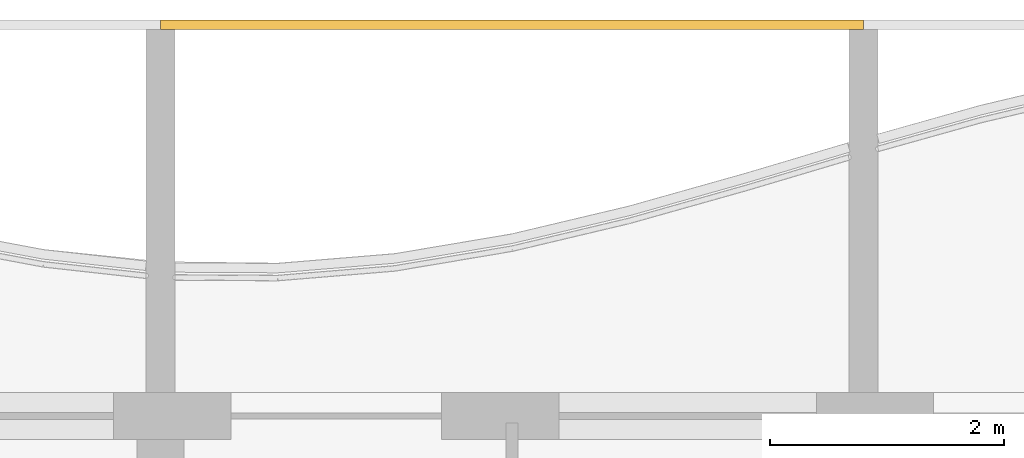
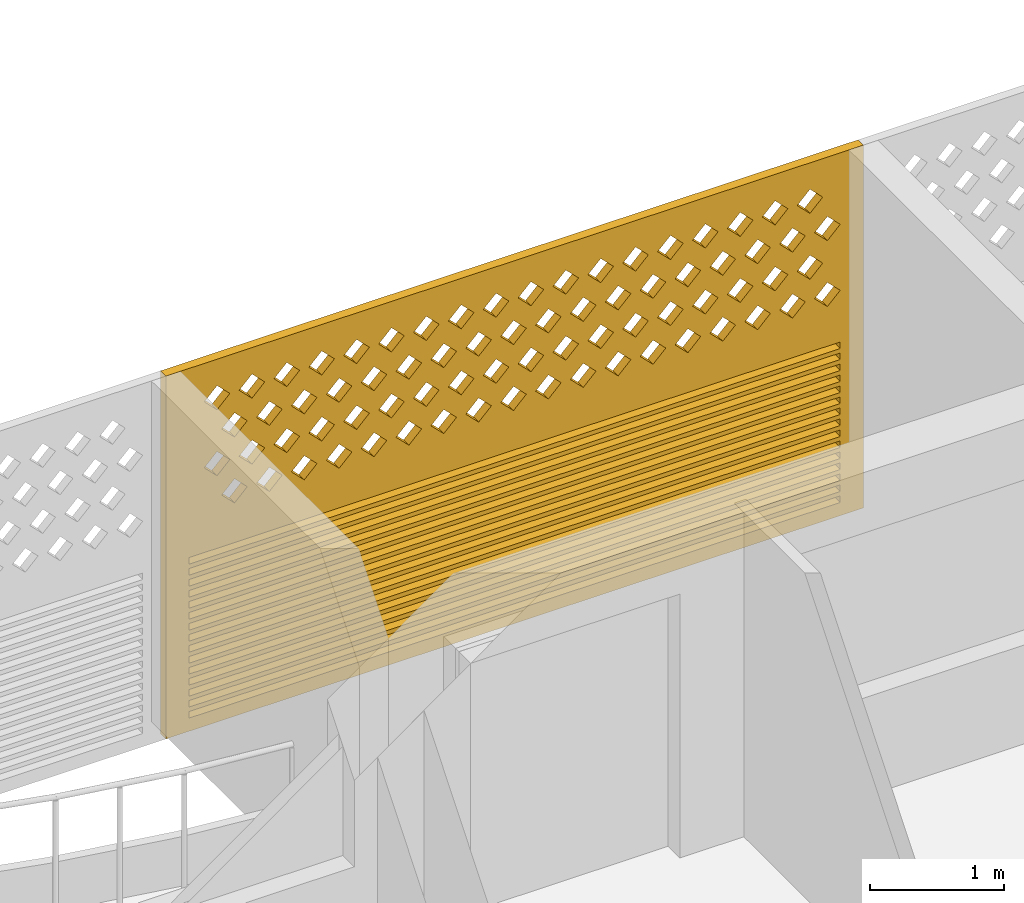
# One storey, part 34 of 39: 1 covering.
"""IFC4 building model written with IfcOpenShell, lengths in metres."""

from ifc_helpers import new_model, si_unit, direction, frame, origin, place, context, subcontext, project, spatial, polyline, outline, extrude, source, transform, mapped, material, material_profile, profile_set, type_object, element, save


model = new_model("IFC4")

# Units and contexts
model_context = context("Model", 3, precision=1e-05, world=origin(), true_north=direction((0.0, 1.0)))
body_context = subcontext(model_context, "Body", "Model", "MODEL_VIEW")
ifc_project = project(units=[si_unit("LENGTHUNIT", "METRE"), si_unit("AREAUNIT", "SQUARE_METRE"), si_unit("VOLUMEUNIT", "CUBIC_METRE"), si_unit("PLANEANGLEUNIT", "RADIAN"), si_unit("MASSUNIT", "GRAM", prefix="KILO")], contexts=[model_context])

# Site, building, storey
site_placement = place(None, origin())
site = spatial("IfcSite", under=ifc_project, at=site_placement, CompositionType="ELEMENT")
building_placement = place(site_placement, origin())
building = spatial("IfcBuilding", under=site, at=building_placement, Name="Poui Terraces", CompositionType="ELEMENT")
storey_placement = place(building_placement, frame((0.0, 0.0, 63.0)))
storey = spatial("IfcBuildingStorey", under=building, at=storey_placement, Name="L17", CompositionType="ELEMENT", Elevation=63.0)

# Covering
ifc_material = material(Name="Terracotta screen", Category="masonry")
ifc_material_profile = material_profile(ifc_material, outline(polyline([(-3.0, -1.64990234375), (3.0, -1.64990234375), (3.0, 1.64990234375), (-3.0, 1.64990234375), (-3.0, -1.64990234375)]), holes=[polyline([(-2.800048828125, 0.39990234375), (-2.68994140625, 0.2900390625), (-2.580078125, 0.39990234375), (-2.68994140625, 0.510009765625), (-2.800048828125, 0.39990234375)]), polyline([(-2.5, 0.39990234375), (-2.389892578125, 0.2900390625), (-2.280029296875, 0.39990234375), (-2.389892578125, 0.510009765625), (-2.5, 0.39990234375)]), polyline([(-2.199951171875, 0.39990234375), (-2.090087890625, 0.2900390625), (-1.97998046875, 0.39990234375), (-2.090087890625, 0.510009765625), (-2.199951171875, 0.39990234375)]), polyline([(-1.89990234375, 0.39990234375), (-1.7900390625, 0.2900390625), (-1.679931640625, 0.39990234375), (-1.7900390625, 0.510009765625), (-1.89990234375, 0.39990234375)]), polyline([(-1.60009765625, 0.39990234375), (-1.489990234375, 0.2900390625), (-1.3798828125, 0.39990234375), (-1.489990234375, 0.510009765625), (-1.60009765625, 0.39990234375)]), polyline([(-1.300048828125, 0.39990234375), (-1.18994140625, 0.2900390625), (-1.080078125, 0.39990234375), (-1.18994140625, 0.510009765625), (-1.300048828125, 0.39990234375)]), polyline([(-1.0, 0.39990234375), (-0.889892578125, 0.2900390625), (-0.780029296875, 0.39990234375), (-0.889892578125, 0.510009765625), (-1.0, 0.39990234375)]), polyline([(-0.699951171875, 0.39990234375), (-0.590087890625, 0.2900390625), (-0.47998046875, 0.39990234375), (-0.590087890625, 0.510009765625), (-0.699951171875, 0.39990234375)]), polyline([(-0.39990234375, 0.39990234375), (-0.2900390625, 0.2900390625), (-0.179931640625, 0.39990234375), (-0.2900390625, 0.510009765625), (-0.39990234375, 0.39990234375)]), polyline([(-0.10009765625, 0.39990234375), (0.010009765625, 0.2900390625), (0.1201171875, 0.39990234375), (0.010009765625, 0.510009765625), (-0.10009765625, 0.39990234375)]), polyline([(0.199951171875, 0.39990234375), (0.31005859375, 0.2900390625), (0.419921875, 0.39990234375), (0.31005859375, 0.510009765625), (0.199951171875, 0.39990234375)]), polyline([(0.5, 0.39990234375), (0.610107421875, 0.2900390625), (0.719970703125, 0.39990234375), (0.610107421875, 0.510009765625), (0.5, 0.39990234375)]), polyline([(0.800048828125, 0.39990234375), (0.909912109375, 0.2900390625), (1.02001953125, 0.39990234375), (0.909912109375, 0.510009765625), (0.800048828125, 0.39990234375)]), polyline([(1.10009765625, 0.39990234375), (1.2099609375, 0.2900390625), (1.320068359375, 0.39990234375), (1.2099609375, 0.510009765625), (1.10009765625, 0.39990234375)]), polyline([(1.39990234375, 0.39990234375), (1.510009765625, 0.2900390625), (1.6201171875, 0.39990234375), (1.510009765625, 0.510009765625), (1.39990234375, 0.39990234375)]), polyline([(1.699951171875, 0.39990234375), (1.81005859375, 0.2900390625), (1.919921875, 0.39990234375), (1.81005859375, 0.510009765625), (1.699951171875, 0.39990234375)]), polyline([(2.0, 0.39990234375), (2.110107421875, 0.2900390625), (2.219970703125, 0.39990234375), (2.110107421875, 0.510009765625), (2.0, 0.39990234375)]), polyline([(2.300048828125, 0.39990234375), (2.409912109375, 0.2900390625), (2.52001953125, 0.39990234375), (2.409912109375, 0.510009765625), (2.300048828125, 0.39990234375)]), polyline([(-2.64990234375, 0.699951171875), (-2.5400390625, 0.590087890625), (-2.429931640625, 0.699951171875), (-2.5400390625, 0.81005859375), (-2.64990234375, 0.699951171875)]), polyline([(-2.35009765625, 0.699951171875), (-2.239990234375, 0.590087890625), (-2.1298828125, 0.699951171875), (-2.239990234375, 0.81005859375), (-2.35009765625, 0.699951171875)]), polyline([(-2.050048828125, 0.699951171875), (-1.93994140625, 0.590087890625), (-1.830078125, 0.699951171875), (-1.93994140625, 0.81005859375), (-2.050048828125, 0.699951171875)]), polyline([(-1.75, 0.699951171875), (-1.639892578125, 0.590087890625), (-1.530029296875, 0.699951171875), (-1.639892578125, 0.81005859375), (-1.75, 0.699951171875)]), polyline([(-1.449951171875, 0.699951171875), (-1.340087890625, 0.590087890625), (-1.22998046875, 0.699951171875), (-1.340087890625, 0.81005859375), (-1.449951171875, 0.699951171875)]), polyline([(-1.14990234375, 0.699951171875), (-1.0400390625, 0.590087890625), (-0.929931640625, 0.699951171875), (-1.0400390625, 0.81005859375), (-1.14990234375, 0.699951171875)]), polyline([(-0.85009765625, 0.699951171875), (-0.739990234375, 0.590087890625), (-0.6298828125, 0.699951171875), (-0.739990234375, 0.81005859375), (-0.85009765625, 0.699951171875)]), polyline([(-0.550048828125, 0.699951171875), (-0.43994140625, 0.590087890625), (-0.330078125, 0.699951171875), (-0.43994140625, 0.81005859375), (-0.550048828125, 0.699951171875)]), polyline([(-0.25, 0.699951171875), (-0.139892578125, 0.590087890625), (-0.030029296875, 0.699951171875), (-0.139892578125, 0.81005859375), (-0.25, 0.699951171875)]), polyline([(0.050048828125, 0.699951171875), (0.159912109375, 0.590087890625), (0.27001953125, 0.699951171875), (0.159912109375, 0.81005859375), (0.050048828125, 0.699951171875)]), polyline([(0.35009765625, 0.699951171875), (0.4599609375, 0.590087890625), (0.570068359375, 0.699951171875), (0.4599609375, 0.81005859375), (0.35009765625, 0.699951171875)]), polyline([(0.64990234375, 0.699951171875), (0.760009765625, 0.590087890625), (0.8701171875, 0.699951171875), (0.760009765625, 0.81005859375), (0.64990234375, 0.699951171875)]), polyline([(0.949951171875, 0.699951171875), (1.06005859375, 0.590087890625), (1.169921875, 0.699951171875), (1.06005859375, 0.81005859375), (0.949951171875, 0.699951171875)]), polyline([(1.25, 0.699951171875), (1.360107421875, 0.590087890625), (1.469970703125, 0.699951171875), (1.360107421875, 0.81005859375), (1.25, 0.699951171875)]), polyline([(1.550048828125, 0.699951171875), (1.659912109375, 0.590087890625), (1.77001953125, 0.699951171875), (1.659912109375, 0.81005859375), (1.550048828125, 0.699951171875)]), polyline([(1.85009765625, 0.699951171875), (1.9599609375, 0.590087890625), (2.070068359375, 0.699951171875), (1.9599609375, 0.81005859375), (1.85009765625, 0.699951171875)]), polyline([(2.14990234375, 0.699951171875), (2.260009765625, 0.590087890625), (2.3701171875, 0.699951171875), (2.260009765625, 0.81005859375), (2.14990234375, 0.699951171875)]), polyline([(2.449951171875, 0.699951171875), (2.56005859375, 0.590087890625), (2.669921875, 0.699951171875), (2.56005859375, 0.81005859375), (2.449951171875, 0.699951171875)]), polyline([(-2.800048828125, 1.0), (-2.68994140625, 0.889892578125), (-2.580078125, 1.0), (-2.68994140625, 1.110107421875), (-2.800048828125, 1.0)]), polyline([(-2.5, 1.0), (-2.389892578125, 0.889892578125), (-2.280029296875, 1.0), (-2.389892578125, 1.110107421875), (-2.5, 1.0)]), polyline([(-2.199951171875, 1.0), (-2.090087890625, 0.889892578125), (-1.97998046875, 1.0), (-2.090087890625, 1.110107421875), (-2.199951171875, 1.0)]), polyline([(-1.89990234375, 1.0), (-1.7900390625, 0.889892578125), (-1.679931640625, 1.0), (-1.7900390625, 1.110107421875), (-1.89990234375, 1.0)]), polyline([(-1.60009765625, 1.0), (-1.489990234375, 0.889892578125), (-1.3798828125, 1.0), (-1.489990234375, 1.110107421875), (-1.60009765625, 1.0)]), polyline([(-1.300048828125, 1.0), (-1.18994140625, 0.889892578125), (-1.080078125, 1.0), (-1.18994140625, 1.110107421875), (-1.300048828125, 1.0)]), polyline([(-1.0, 1.0), (-0.889892578125, 0.889892578125), (-0.780029296875, 1.0), (-0.889892578125, 1.110107421875), (-1.0, 1.0)]), polyline([(-0.699951171875, 1.0), (-0.590087890625, 0.889892578125), (-0.47998046875, 1.0), (-0.590087890625, 1.110107421875), (-0.699951171875, 1.0)]), polyline([(-0.39990234375, 1.0), (-0.2900390625, 0.889892578125), (-0.179931640625, 1.0), (-0.2900390625, 1.110107421875), (-0.39990234375, 1.0)]), polyline([(-0.10009765625, 1.0), (0.010009765625, 0.889892578125), (0.1201171875, 1.0), (0.010009765625, 1.110107421875), (-0.10009765625, 1.0)]), polyline([(0.199951171875, 1.0), (0.31005859375, 0.889892578125), (0.419921875, 1.0), (0.31005859375, 1.110107421875), (0.199951171875, 1.0)]), polyline([(0.5, 1.0), (0.610107421875, 0.889892578125), (0.719970703125, 1.0), (0.610107421875, 1.110107421875), (0.5, 1.0)]), polyline([(0.800048828125, 1.0), (0.909912109375, 0.889892578125), (1.02001953125, 1.0), (0.909912109375, 1.110107421875), (0.800048828125, 1.0)]), polyline([(1.10009765625, 1.0), (1.2099609375, 0.889892578125), (1.320068359375, 1.0), (1.2099609375, 1.110107421875), (1.10009765625, 1.0)]), polyline([(1.39990234375, 1.0), (1.510009765625, 0.889892578125), (1.6201171875, 1.0), (1.510009765625, 1.110107421875), (1.39990234375, 1.0)]), polyline([(1.699951171875, 1.0), (1.81005859375, 0.889892578125), (1.919921875, 1.0), (1.81005859375, 1.110107421875), (1.699951171875, 1.0)]), polyline([(2.0, 1.0), (2.110107421875, 0.889892578125), (2.219970703125, 1.0), (2.110107421875, 1.110107421875), (2.0, 1.0)]), polyline([(2.300048828125, 1.0), (2.409912109375, 0.889892578125), (2.52001953125, 1.0), (2.409912109375, 1.110107421875), (2.300048828125, 1.0)]), polyline([(-2.64990234375, 1.300048828125), (-2.5400390625, 1.18994140625), (-2.429931640625, 1.300048828125), (-2.5400390625, 1.409912109375), (-2.64990234375, 1.300048828125)]), polyline([(-2.35009765625, 1.300048828125), (-2.239990234375, 1.18994140625), (-2.1298828125, 1.300048828125), (-2.239990234375, 1.409912109375), (-2.35009765625, 1.300048828125)]), polyline([(-2.050048828125, 1.300048828125), (-1.93994140625, 1.18994140625), (-1.830078125, 1.300048828125), (-1.93994140625, 1.409912109375), (-2.050048828125, 1.300048828125)]), polyline([(-1.75, 1.300048828125), (-1.639892578125, 1.18994140625), (-1.530029296875, 1.300048828125), (-1.639892578125, 1.409912109375), (-1.75, 1.300048828125)]), polyline([(-1.449951171875, 1.300048828125), (-1.340087890625, 1.18994140625), (-1.22998046875, 1.300048828125), (-1.340087890625, 1.409912109375), (-1.449951171875, 1.300048828125)]), polyline([(-1.14990234375, 1.300048828125), (-1.0400390625, 1.18994140625), (-0.929931640625, 1.300048828125), (-1.0400390625, 1.409912109375), (-1.14990234375, 1.300048828125)]), polyline([(-0.85009765625, 1.300048828125), (-0.739990234375, 1.18994140625), (-0.6298828125, 1.300048828125), (-0.739990234375, 1.409912109375), (-0.85009765625, 1.300048828125)]), polyline([(-0.550048828125, 1.300048828125), (-0.43994140625, 1.18994140625), (-0.330078125, 1.300048828125), (-0.43994140625, 1.409912109375), (-0.550048828125, 1.300048828125)]), polyline([(-0.25, 1.300048828125), (-0.139892578125, 1.18994140625), (-0.030029296875, 1.300048828125), (-0.139892578125, 1.409912109375), (-0.25, 1.300048828125)]), polyline([(0.050048828125, 1.300048828125), (0.159912109375, 1.18994140625), (0.27001953125, 1.300048828125), (0.159912109375, 1.409912109375), (0.050048828125, 1.300048828125)]), polyline([(0.35009765625, 1.300048828125), (0.4599609375, 1.18994140625), (0.570068359375, 1.300048828125), (0.4599609375, 1.409912109375), (0.35009765625, 1.300048828125)]), polyline([(0.64990234375, 1.300048828125), (0.760009765625, 1.18994140625), (0.8701171875, 1.300048828125), (0.760009765625, 1.409912109375), (0.64990234375, 1.300048828125)]), polyline([(0.949951171875, 1.300048828125), (1.06005859375, 1.18994140625), (1.169921875, 1.300048828125), (1.06005859375, 1.409912109375), (0.949951171875, 1.300048828125)]), polyline([(1.25, 1.300048828125), (1.360107421875, 1.18994140625), (1.469970703125, 1.300048828125), (1.360107421875, 1.409912109375), (1.25, 1.300048828125)]), polyline([(1.550048828125, 1.300048828125), (1.659912109375, 1.18994140625), (1.77001953125, 1.300048828125), (1.659912109375, 1.409912109375), (1.550048828125, 1.300048828125)]), polyline([(1.85009765625, 1.300048828125), (1.9599609375, 1.18994140625), (2.070068359375, 1.300048828125), (1.9599609375, 1.409912109375), (1.85009765625, 1.300048828125)]), polyline([(2.14990234375, 1.300048828125), (2.260009765625, 1.18994140625), (2.3701171875, 1.300048828125), (2.260009765625, 1.409912109375), (2.14990234375, 1.300048828125)]), polyline([(2.449951171875, 1.300048828125), (2.56005859375, 1.18994140625), (2.669921875, 1.300048828125), (2.56005859375, 1.409912109375), (2.449951171875, 1.300048828125)]), polyline([(-2.800048828125, -1.530029296875), (2.800048828125, -1.530029296875), (2.800048828125, -1.469970703125), (-2.800048828125, -1.469970703125), (-2.800048828125, -1.530029296875)]), polyline([(-2.800048828125, -1.429931640625), (2.800048828125, -1.429931640625), (2.800048828125, -1.3701171875), (-2.800048828125, -1.3701171875), (-2.800048828125, -1.429931640625)]), polyline([(-2.800048828125, -1.330078125), (2.800048828125, -1.330078125), (2.800048828125, -1.27001953125), (-2.800048828125, -1.27001953125), (-2.800048828125, -1.330078125)]), polyline([(-2.800048828125, -1.22998046875), (2.800048828125, -1.22998046875), (2.800048828125, -1.169921875), (-2.800048828125, -1.169921875), (-2.800048828125, -1.22998046875)]), polyline([(-2.800048828125, -1.1298828125), (2.800048828125, -1.1298828125), (2.800048828125, -1.070068359375), (-2.800048828125, -1.070068359375), (-2.800048828125, -1.1298828125)]), polyline([(-2.800048828125, -1.030029296875), (2.800048828125, -1.030029296875), (2.800048828125, -0.969970703125), (-2.800048828125, -0.969970703125), (-2.800048828125, -1.030029296875)]), polyline([(-2.800048828125, -0.929931640625), (2.800048828125, -0.929931640625), (2.800048828125, -0.8701171875), (-2.800048828125, -0.8701171875), (-2.800048828125, -0.929931640625)]), polyline([(-2.800048828125, -0.830078125), (2.800048828125, -0.830078125), (2.800048828125, -0.77001953125), (-2.800048828125, -0.77001953125), (-2.800048828125, -0.830078125)]), polyline([(-2.800048828125, -0.72998046875), (2.800048828125, -0.72998046875), (2.800048828125, -0.669921875), (-2.800048828125, -0.669921875), (-2.800048828125, -0.72998046875)]), polyline([(-2.800048828125, -0.6298828125), (2.800048828125, -0.6298828125), (2.800048828125, -0.570068359375), (-2.800048828125, -0.570068359375), (-2.800048828125, -0.6298828125)]), polyline([(-2.800048828125, -0.530029296875), (2.800048828125, -0.530029296875), (2.800048828125, -0.469970703125), (-2.800048828125, -0.469970703125), (-2.800048828125, -0.530029296875)]), polyline([(-2.800048828125, -0.429931640625), (2.800048828125, -0.429931640625), (2.800048828125, -0.3701171875), (-2.800048828125, -0.3701171875), (-2.800048828125, -0.429931640625)]), polyline([(-2.800048828125, -0.330078125), (2.800048828125, -0.330078125), (2.800048828125, -0.27001953125), (-2.800048828125, -0.27001953125), (-2.800048828125, -0.330078125)]), polyline([(-2.800048828125, -0.22998046875), (2.800048828125, -0.22998046875), (2.800048828125, -0.169921875), (-2.800048828125, -0.169921875), (-2.800048828125, -0.22998046875)]), polyline([(-2.800048828125, -0.1298828125), (2.800048828125, -0.1298828125), (2.800048828125, -0.070068359375), (-2.800048828125, -0.070068359375), (-2.800048828125, -0.1298828125)])]), Name="TERRACOTTA SCREEN AND JALOUSIE LOUVRE 6000X3300")
ifc_profile_set = profile_set([ifc_material_profile], Name="Terracotta screen")
covering_type = type_object("IfcCoveringType", Name="TERRACOTTA SCREEN AND JALOUSIE LOUVRE 6000X3300", PredefinedType="CLADDING", material=ifc_profile_set)
shared_shape = source(origin(), body_context, "Body", "SweptSolid", [
    extrude(outline(polyline([(-3.0, -1.64990234375), (3.0, -1.64990234375), (3.0, 1.64990234375), (-3.0, 1.64990234375), (-3.0, -1.64990234375)]), holes=[polyline([(-2.800048828125, 0.39990234375), (-2.68994140625, 0.2900390625), (-2.580078125, 0.39990234375), (-2.68994140625, 0.510009765625), (-2.800048828125, 0.39990234375)]), polyline([(-2.5, 0.39990234375), (-2.389892578125, 0.2900390625), (-2.280029296875, 0.39990234375), (-2.389892578125, 0.510009765625), (-2.5, 0.39990234375)]), polyline([(-2.199951171875, 0.39990234375), (-2.090087890625, 0.2900390625), (-1.97998046875, 0.39990234375), (-2.090087890625, 0.510009765625), (-2.199951171875, 0.39990234375)]), polyline([(-1.89990234375, 0.39990234375), (-1.7900390625, 0.2900390625), (-1.679931640625, 0.39990234375), (-1.7900390625, 0.510009765625), (-1.89990234375, 0.39990234375)]), polyline([(-1.60009765625, 0.39990234375), (-1.489990234375, 0.2900390625), (-1.3798828125, 0.39990234375), (-1.489990234375, 0.510009765625), (-1.60009765625, 0.39990234375)]), polyline([(-1.300048828125, 0.39990234375), (-1.18994140625, 0.2900390625), (-1.080078125, 0.39990234375), (-1.18994140625, 0.510009765625), (-1.300048828125, 0.39990234375)]), polyline([(-1.0, 0.39990234375), (-0.889892578125, 0.2900390625), (-0.780029296875, 0.39990234375), (-0.889892578125, 0.510009765625), (-1.0, 0.39990234375)]), polyline([(-0.699951171875, 0.39990234375), (-0.590087890625, 0.2900390625), (-0.47998046875, 0.39990234375), (-0.590087890625, 0.510009765625), (-0.699951171875, 0.39990234375)]), polyline([(-0.39990234375, 0.39990234375), (-0.2900390625, 0.2900390625), (-0.179931640625, 0.39990234375), (-0.2900390625, 0.510009765625), (-0.39990234375, 0.39990234375)]), polyline([(-0.10009765625, 0.39990234375), (0.010009765625, 0.2900390625), (0.1201171875, 0.39990234375), (0.010009765625, 0.510009765625), (-0.10009765625, 0.39990234375)]), polyline([(0.199951171875, 0.39990234375), (0.31005859375, 0.2900390625), (0.419921875, 0.39990234375), (0.31005859375, 0.510009765625), (0.199951171875, 0.39990234375)]), polyline([(0.5, 0.39990234375), (0.610107421875, 0.2900390625), (0.719970703125, 0.39990234375), (0.610107421875, 0.510009765625), (0.5, 0.39990234375)]), polyline([(0.800048828125, 0.39990234375), (0.909912109375, 0.2900390625), (1.02001953125, 0.39990234375), (0.909912109375, 0.510009765625), (0.800048828125, 0.39990234375)]), polyline([(1.10009765625, 0.39990234375), (1.2099609375, 0.2900390625), (1.320068359375, 0.39990234375), (1.2099609375, 0.510009765625), (1.10009765625, 0.39990234375)]), polyline([(1.39990234375, 0.39990234375), (1.510009765625, 0.2900390625), (1.6201171875, 0.39990234375), (1.510009765625, 0.510009765625), (1.39990234375, 0.39990234375)]), polyline([(1.699951171875, 0.39990234375), (1.81005859375, 0.2900390625), (1.919921875, 0.39990234375), (1.81005859375, 0.510009765625), (1.699951171875, 0.39990234375)]), polyline([(2.0, 0.39990234375), (2.110107421875, 0.2900390625), (2.219970703125, 0.39990234375), (2.110107421875, 0.510009765625), (2.0, 0.39990234375)]), polyline([(2.300048828125, 0.39990234375), (2.409912109375, 0.2900390625), (2.52001953125, 0.39990234375), (2.409912109375, 0.510009765625), (2.300048828125, 0.39990234375)]), polyline([(-2.64990234375, 0.699951171875), (-2.5400390625, 0.590087890625), (-2.429931640625, 0.699951171875), (-2.5400390625, 0.81005859375), (-2.64990234375, 0.699951171875)]), polyline([(-2.35009765625, 0.699951171875), (-2.239990234375, 0.590087890625), (-2.1298828125, 0.699951171875), (-2.239990234375, 0.81005859375), (-2.35009765625, 0.699951171875)]), polyline([(-2.050048828125, 0.699951171875), (-1.93994140625, 0.590087890625), (-1.830078125, 0.699951171875), (-1.93994140625, 0.81005859375), (-2.050048828125, 0.699951171875)]), polyline([(-1.75, 0.699951171875), (-1.639892578125, 0.590087890625), (-1.530029296875, 0.699951171875), (-1.639892578125, 0.81005859375), (-1.75, 0.699951171875)]), polyline([(-1.449951171875, 0.699951171875), (-1.340087890625, 0.590087890625), (-1.22998046875, 0.699951171875), (-1.340087890625, 0.81005859375), (-1.449951171875, 0.699951171875)]), polyline([(-1.14990234375, 0.699951171875), (-1.0400390625, 0.590087890625), (-0.929931640625, 0.699951171875), (-1.0400390625, 0.81005859375), (-1.14990234375, 0.699951171875)]), polyline([(-0.85009765625, 0.699951171875), (-0.739990234375, 0.590087890625), (-0.6298828125, 0.699951171875), (-0.739990234375, 0.81005859375), (-0.85009765625, 0.699951171875)]), polyline([(-0.550048828125, 0.699951171875), (-0.43994140625, 0.590087890625), (-0.330078125, 0.699951171875), (-0.43994140625, 0.81005859375), (-0.550048828125, 0.699951171875)]), polyline([(-0.25, 0.699951171875), (-0.139892578125, 0.590087890625), (-0.030029296875, 0.699951171875), (-0.139892578125, 0.81005859375), (-0.25, 0.699951171875)]), polyline([(0.050048828125, 0.699951171875), (0.159912109375, 0.590087890625), (0.27001953125, 0.699951171875), (0.159912109375, 0.81005859375), (0.050048828125, 0.699951171875)]), polyline([(0.35009765625, 0.699951171875), (0.4599609375, 0.590087890625), (0.570068359375, 0.699951171875), (0.4599609375, 0.81005859375), (0.35009765625, 0.699951171875)]), polyline([(0.64990234375, 0.699951171875), (0.760009765625, 0.590087890625), (0.8701171875, 0.699951171875), (0.760009765625, 0.81005859375), (0.64990234375, 0.699951171875)]), polyline([(0.949951171875, 0.699951171875), (1.06005859375, 0.590087890625), (1.169921875, 0.699951171875), (1.06005859375, 0.81005859375), (0.949951171875, 0.699951171875)]), polyline([(1.25, 0.699951171875), (1.360107421875, 0.590087890625), (1.469970703125, 0.699951171875), (1.360107421875, 0.81005859375), (1.25, 0.699951171875)]), polyline([(1.550048828125, 0.699951171875), (1.659912109375, 0.590087890625), (1.77001953125, 0.699951171875), (1.659912109375, 0.81005859375), (1.550048828125, 0.699951171875)]), polyline([(1.85009765625, 0.699951171875), (1.9599609375, 0.590087890625), (2.070068359375, 0.699951171875), (1.9599609375, 0.81005859375), (1.85009765625, 0.699951171875)]), polyline([(2.14990234375, 0.699951171875), (2.260009765625, 0.590087890625), (2.3701171875, 0.699951171875), (2.260009765625, 0.81005859375), (2.14990234375, 0.699951171875)]), polyline([(2.449951171875, 0.699951171875), (2.56005859375, 0.590087890625), (2.669921875, 0.699951171875), (2.56005859375, 0.81005859375), (2.449951171875, 0.699951171875)]), polyline([(-2.800048828125, 1.0), (-2.68994140625, 0.889892578125), (-2.580078125, 1.0), (-2.68994140625, 1.110107421875), (-2.800048828125, 1.0)]), polyline([(-2.5, 1.0), (-2.389892578125, 0.889892578125), (-2.280029296875, 1.0), (-2.389892578125, 1.110107421875), (-2.5, 1.0)]), polyline([(-2.199951171875, 1.0), (-2.090087890625, 0.889892578125), (-1.97998046875, 1.0), (-2.090087890625, 1.110107421875), (-2.199951171875, 1.0)]), polyline([(-1.89990234375, 1.0), (-1.7900390625, 0.889892578125), (-1.679931640625, 1.0), (-1.7900390625, 1.110107421875), (-1.89990234375, 1.0)]), polyline([(-1.60009765625, 1.0), (-1.489990234375, 0.889892578125), (-1.3798828125, 1.0), (-1.489990234375, 1.110107421875), (-1.60009765625, 1.0)]), polyline([(-1.300048828125, 1.0), (-1.18994140625, 0.889892578125), (-1.080078125, 1.0), (-1.18994140625, 1.110107421875), (-1.300048828125, 1.0)]), polyline([(-1.0, 1.0), (-0.889892578125, 0.889892578125), (-0.780029296875, 1.0), (-0.889892578125, 1.110107421875), (-1.0, 1.0)]), polyline([(-0.699951171875, 1.0), (-0.590087890625, 0.889892578125), (-0.47998046875, 1.0), (-0.590087890625, 1.110107421875), (-0.699951171875, 1.0)]), polyline([(-0.39990234375, 1.0), (-0.2900390625, 0.889892578125), (-0.179931640625, 1.0), (-0.2900390625, 1.110107421875), (-0.39990234375, 1.0)]), polyline([(-0.10009765625, 1.0), (0.010009765625, 0.889892578125), (0.1201171875, 1.0), (0.010009765625, 1.110107421875), (-0.10009765625, 1.0)]), polyline([(0.199951171875, 1.0), (0.31005859375, 0.889892578125), (0.419921875, 1.0), (0.31005859375, 1.110107421875), (0.199951171875, 1.0)]), polyline([(0.5, 1.0), (0.610107421875, 0.889892578125), (0.719970703125, 1.0), (0.610107421875, 1.110107421875), (0.5, 1.0)]), polyline([(0.800048828125, 1.0), (0.909912109375, 0.889892578125), (1.02001953125, 1.0), (0.909912109375, 1.110107421875), (0.800048828125, 1.0)]), polyline([(1.10009765625, 1.0), (1.2099609375, 0.889892578125), (1.320068359375, 1.0), (1.2099609375, 1.110107421875), (1.10009765625, 1.0)]), polyline([(1.39990234375, 1.0), (1.510009765625, 0.889892578125), (1.6201171875, 1.0), (1.510009765625, 1.110107421875), (1.39990234375, 1.0)]), polyline([(1.699951171875, 1.0), (1.81005859375, 0.889892578125), (1.919921875, 1.0), (1.81005859375, 1.110107421875), (1.699951171875, 1.0)]), polyline([(2.0, 1.0), (2.110107421875, 0.889892578125), (2.219970703125, 1.0), (2.110107421875, 1.110107421875), (2.0, 1.0)]), polyline([(2.300048828125, 1.0), (2.409912109375, 0.889892578125), (2.52001953125, 1.0), (2.409912109375, 1.110107421875), (2.300048828125, 1.0)]), polyline([(-2.64990234375, 1.300048828125), (-2.5400390625, 1.18994140625), (-2.429931640625, 1.300048828125), (-2.5400390625, 1.409912109375), (-2.64990234375, 1.300048828125)]), polyline([(-2.35009765625, 1.300048828125), (-2.239990234375, 1.18994140625), (-2.1298828125, 1.300048828125), (-2.239990234375, 1.409912109375), (-2.35009765625, 1.300048828125)]), polyline([(-2.050048828125, 1.300048828125), (-1.93994140625, 1.18994140625), (-1.830078125, 1.300048828125), (-1.93994140625, 1.409912109375), (-2.050048828125, 1.300048828125)]), polyline([(-1.75, 1.300048828125), (-1.639892578125, 1.18994140625), (-1.530029296875, 1.300048828125), (-1.639892578125, 1.409912109375), (-1.75, 1.300048828125)]), polyline([(-1.449951171875, 1.300048828125), (-1.340087890625, 1.18994140625), (-1.22998046875, 1.300048828125), (-1.340087890625, 1.409912109375), (-1.449951171875, 1.300048828125)]), polyline([(-1.14990234375, 1.300048828125), (-1.0400390625, 1.18994140625), (-0.929931640625, 1.300048828125), (-1.0400390625, 1.409912109375), (-1.14990234375, 1.300048828125)]), polyline([(-0.85009765625, 1.300048828125), (-0.739990234375, 1.18994140625), (-0.6298828125, 1.300048828125), (-0.739990234375, 1.409912109375), (-0.85009765625, 1.300048828125)]), polyline([(-0.550048828125, 1.300048828125), (-0.43994140625, 1.18994140625), (-0.330078125, 1.300048828125), (-0.43994140625, 1.409912109375), (-0.550048828125, 1.300048828125)]), polyline([(-0.25, 1.300048828125), (-0.139892578125, 1.18994140625), (-0.030029296875, 1.300048828125), (-0.139892578125, 1.409912109375), (-0.25, 1.300048828125)]), polyline([(0.050048828125, 1.300048828125), (0.159912109375, 1.18994140625), (0.27001953125, 1.300048828125), (0.159912109375, 1.409912109375), (0.050048828125, 1.300048828125)]), polyline([(0.35009765625, 1.300048828125), (0.4599609375, 1.18994140625), (0.570068359375, 1.300048828125), (0.4599609375, 1.409912109375), (0.35009765625, 1.300048828125)]), polyline([(0.64990234375, 1.300048828125), (0.760009765625, 1.18994140625), (0.8701171875, 1.300048828125), (0.760009765625, 1.409912109375), (0.64990234375, 1.300048828125)]), polyline([(0.949951171875, 1.300048828125), (1.06005859375, 1.18994140625), (1.169921875, 1.300048828125), (1.06005859375, 1.409912109375), (0.949951171875, 1.300048828125)]), polyline([(1.25, 1.300048828125), (1.360107421875, 1.18994140625), (1.469970703125, 1.300048828125), (1.360107421875, 1.409912109375), (1.25, 1.300048828125)]), polyline([(1.550048828125, 1.300048828125), (1.659912109375, 1.18994140625), (1.77001953125, 1.300048828125), (1.659912109375, 1.409912109375), (1.550048828125, 1.300048828125)]), polyline([(1.85009765625, 1.300048828125), (1.9599609375, 1.18994140625), (2.070068359375, 1.300048828125), (1.9599609375, 1.409912109375), (1.85009765625, 1.300048828125)]), polyline([(2.14990234375, 1.300048828125), (2.260009765625, 1.18994140625), (2.3701171875, 1.300048828125), (2.260009765625, 1.409912109375), (2.14990234375, 1.300048828125)]), polyline([(2.449951171875, 1.300048828125), (2.56005859375, 1.18994140625), (2.669921875, 1.300048828125), (2.56005859375, 1.409912109375), (2.449951171875, 1.300048828125)]), polyline([(-2.800048828125, -1.530029296875), (2.800048828125, -1.530029296875), (2.800048828125, -1.469970703125), (-2.800048828125, -1.469970703125), (-2.800048828125, -1.530029296875)]), polyline([(-2.800048828125, -1.429931640625), (2.800048828125, -1.429931640625), (2.800048828125, -1.3701171875), (-2.800048828125, -1.3701171875), (-2.800048828125, -1.429931640625)]), polyline([(-2.800048828125, -1.330078125), (2.800048828125, -1.330078125), (2.800048828125, -1.27001953125), (-2.800048828125, -1.27001953125), (-2.800048828125, -1.330078125)]), polyline([(-2.800048828125, -1.22998046875), (2.800048828125, -1.22998046875), (2.800048828125, -1.169921875), (-2.800048828125, -1.169921875), (-2.800048828125, -1.22998046875)]), polyline([(-2.800048828125, -1.1298828125), (2.800048828125, -1.1298828125), (2.800048828125, -1.070068359375), (-2.800048828125, -1.070068359375), (-2.800048828125, -1.1298828125)]), polyline([(-2.800048828125, -1.030029296875), (2.800048828125, -1.030029296875), (2.800048828125, -0.969970703125), (-2.800048828125, -0.969970703125), (-2.800048828125, -1.030029296875)]), polyline([(-2.800048828125, -0.929931640625), (2.800048828125, -0.929931640625), (2.800048828125, -0.8701171875), (-2.800048828125, -0.8701171875), (-2.800048828125, -0.929931640625)]), polyline([(-2.800048828125, -0.830078125), (2.800048828125, -0.830078125), (2.800048828125, -0.77001953125), (-2.800048828125, -0.77001953125), (-2.800048828125, -0.830078125)]), polyline([(-2.800048828125, -0.72998046875), (2.800048828125, -0.72998046875), (2.800048828125, -0.669921875), (-2.800048828125, -0.669921875), (-2.800048828125, -0.72998046875)]), polyline([(-2.800048828125, -0.6298828125), (2.800048828125, -0.6298828125), (2.800048828125, -0.570068359375), (-2.800048828125, -0.570068359375), (-2.800048828125, -0.6298828125)]), polyline([(-2.800048828125, -0.530029296875), (2.800048828125, -0.530029296875), (2.800048828125, -0.469970703125), (-2.800048828125, -0.469970703125), (-2.800048828125, -0.530029296875)]), polyline([(-2.800048828125, -0.429931640625), (2.800048828125, -0.429931640625), (2.800048828125, -0.3701171875), (-2.800048828125, -0.3701171875), (-2.800048828125, -0.429931640625)]), polyline([(-2.800048828125, -0.330078125), (2.800048828125, -0.330078125), (2.800048828125, -0.27001953125), (-2.800048828125, -0.27001953125), (-2.800048828125, -0.330078125)]), polyline([(-2.800048828125, -0.22998046875), (2.800048828125, -0.22998046875), (2.800048828125, -0.169921875), (-2.800048828125, -0.169921875), (-2.800048828125, -0.22998046875)]), polyline([(-2.800048828125, -0.1298828125), (2.800048828125, -0.1298828125), (2.800048828125, -0.070068359375), (-2.800048828125, -0.070068359375), (-2.800048828125, -0.1298828125)])]), origin(), (0.0, 0.0, 1.0), 0.079833984375),
])
covering_placement = place(storey_placement, frame((69.0, 48.10009765625, 1.449951171875), z_axis=(0.0, 1.0, 0.0), x_axis=(-1.0, 0.0, 0.0)))
element("IfcCovering", 1, at=covering_placement, inside=storey, type_object=covering_type, Name="SOLAR SCREEN AND JALOUSIE LOUVRE", PredefinedType="CLADDING", context=body_context, shape_type="MappedRepresentation", body=[
    mapped(shared_shape, transform((0.0, 0.0, 0.0))),
])

save(model, "model.ifc")
